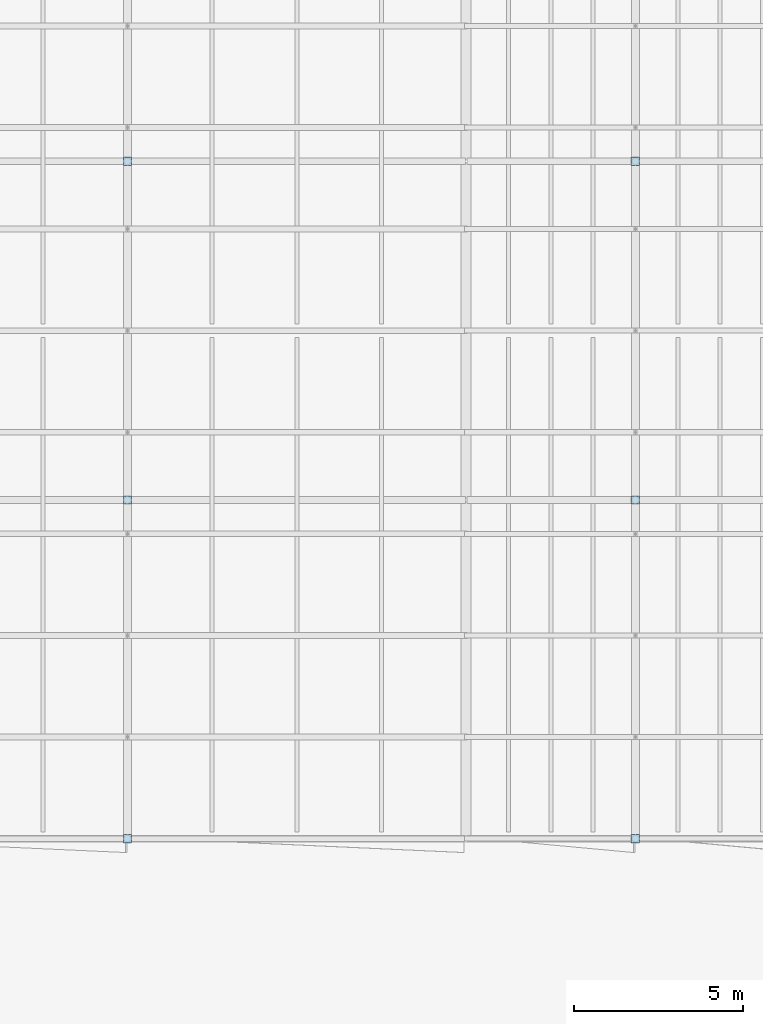
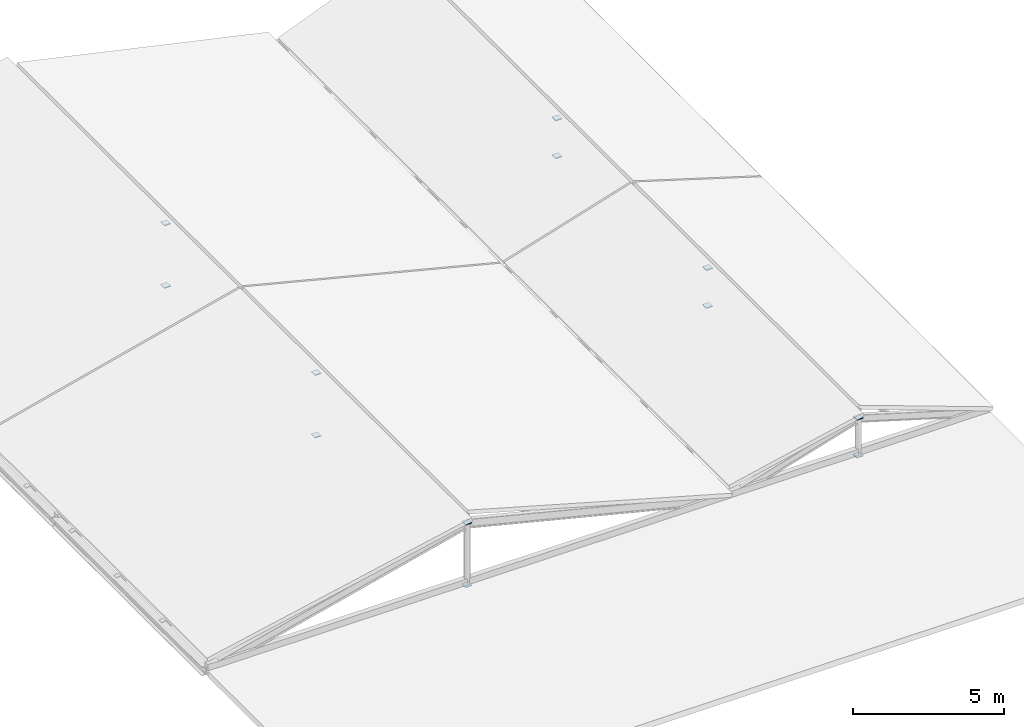
# One storey, part 76 of 90: 12 plates.
"""IFC4 building model written with IfcOpenShell, lengths in metres."""

import ifcopenshell
import ifcopenshell.guid

model = None  # the IFC model being written
_history = None  # IfcOwnerHistory: only IFC2X3 demands one
_inside = {}  # id of a spatial element -> (the spatial element, [elements in it])
_under = {}  # id of a project, library or spatial element -> (it, [spatial elements below it])
_declared = {}  # id of a project -> (the project, [libraries it declares])
_typed = {}  # id of a type object -> (the type object, [elements of that type])
_made_of = {}  # id of a material, layer set ... -> (it, [elements and type objects made of it])


def new_model(schema):
    """Start an empty IFC model of exactly this schema.

    Asked for "IFC4X3", IfcOpenShell would pick the latest addendum, in which some entities
    have other attributes; the version numbers below select the first issue.
    IFC2X3 requires an IfcOwnerHistory on every rooted entity: one is made here for all.
    """
    global model, _history
    if schema == "IFC4X3":
        model = ifcopenshell.file(schema_version=(4, 3, 0, 0))
    else:
        model = ifcopenshell.file(schema=schema)
    _inside.clear()
    _under.clear()
    _declared.clear()
    _typed.clear()
    _made_of.clear()
    _history = None
    if model.schema == "IFC2X3":
        org = make("IfcOrganization", Name="unknown")
        user = make(
            "IfcPersonAndOrganization",
            ThePerson=make("IfcPerson", FamilyName="unknown"),
            TheOrganization=org,
        )
        app = make(
            "IfcApplication",
            ApplicationDeveloper=org,
            Version="unknown",
            ApplicationFullName="unknown",
            ApplicationIdentifier="unknown",
        )
        _history = make(
            "IfcOwnerHistory",
            OwningUser=user,
            OwningApplication=app,
            ChangeAction="ADDED",
            CreationDate=0,
        )
    return model


def make(cls, **values):
    """One entity of the class cls with the attributes given. An attribute that is None is left unset."""
    return model.create_entity(
        cls, **{name: value for name, value in values.items() if value is not None}
    )


def rooted(cls, **values):
    """An entity with a GlobalId (a new one), such as an element, a storey or a relation."""
    return make(cls, GlobalId=ifcopenshell.guid.new(), OwnerHistory=_history, **values)


def si_unit(unit_type, name, prefix=None):
    """IfcSIUnit, for example si_unit("LENGTHUNIT", "METRE", prefix="MILLI")."""
    return make("IfcSIUnit", UnitType=unit_type, Prefix=prefix, Name=name)


def assignment(units):
    """IfcUnitAssignment: the units of a project."""
    return None if units is None else make("IfcUnitAssignment", Units=units)


def point(xyz):
    """IfcCartesianPoint."""
    return None if xyz is None else make("IfcCartesianPoint", Coordinates=xyz)


def direction(xyz):
    """IfcDirection."""
    return None if xyz is None else make("IfcDirection", DirectionRatios=xyz)


def frame(location, z_axis=None, x_axis=None):
    """IfcAxis2Placement3D, a coordinate frame: its origin and axes. An axis left out is left unset."""
    return make(
        "IfcAxis2Placement3D",
        Location=point(location),
        Axis=direction(z_axis),
        RefDirection=direction(x_axis),
    )


def frame_2d(location, x_axis=None):
    """IfcAxis2Placement2D, a coordinate frame in the plane: its origin and x axis."""
    return make(
        "IfcAxis2Placement2D", Location=point(location), RefDirection=direction(x_axis)
    )


def origin():
    """The frame at (0, 0, 0) with its axes left unset."""
    return frame((0.0, 0.0, 0.0))


def origin_2d():
    """The frame at (0, 0) in the plane with its x axis left unset."""
    return frame_2d((0.0, 0.0))


def place(relative_to, where):
    """IfcLocalPlacement: puts the frame where relative to a parent placement (None: the world)."""
    return make(
        "IfcLocalPlacement", PlacementRelTo=relative_to, RelativePlacement=where
    )


def context(
    kind, dimensions, precision=None, world=None, true_north=None, identifier=None
):
    """IfcGeometricRepresentationContext, for example the 3D "Model" context."""
    return make(
        "IfcGeometricRepresentationContext",
        ContextIdentifier=identifier,
        ContextType=kind,
        CoordinateSpaceDimension=dimensions,
        Precision=precision,
        WorldCoordinateSystem=world,
        TrueNorth=true_north,
    )


def subcontext(parent, identifier, kind, view, scale=None):
    """IfcGeometricRepresentationSubContext, for example "Body" below "Model"."""
    return make(
        "IfcGeometricRepresentationSubContext",
        ContextIdentifier=identifier,
        ContextType=kind,
        ParentContext=parent,
        TargetScale=scale,
        TargetView=view,
    )


def project(units=None, contexts=None):
    """IfcProject with its units and contexts."""
    return rooted(
        "IfcProject",
        Name="project",
        RepresentationContexts=contexts,
        UnitsInContext=assignment(units),
    )


def spatial(cls, under=None, at=None, **own):
    """A site, building, storey or space (cls), placed at a placement, below another one or the project."""
    s = rooted(cls, ObjectPlacement=at, **own)
    if under is not None:
        _under.setdefault(under.id(), (under, []))[1].append(s)
    return s


def profile(cls, at=None, kind="AREA", **sizes):
    """A parametric profile (cls). Its sizes go by their IFC names, for example OverallWidth=200.0."""
    return make(cls, ProfileType=kind, Position=at, **sizes)


def rectangle(**sizes):
    """IfcRectangleProfileDef."""
    return profile("IfcRectangleProfileDef", **sizes)


def extrude(swept, where, along, depth):
    """IfcExtrudedAreaSolid: the profile swept, set in the frame where, extruded along a direction by depth."""
    return make(
        "IfcExtrudedAreaSolid",
        SweptArea=swept,
        Position=where,
        ExtrudedDirection=direction(along),
        Depth=depth,
    )


def shape(context_of_items, identifier, shape_type, items):
    """IfcShapeRepresentation: the items that make up one representation, for example the "Body"."""
    return make(
        "IfcShapeRepresentation",
        ContextOfItems=context_of_items,
        RepresentationIdentifier=identifier,
        RepresentationType=shape_type,
        Items=items,
    )


def material(Name=None, Category=None):
    """IfcMaterial."""
    return make("IfcMaterial", Name=Name, Category=Category)


def layer(
    of_material, thickness, ventilated=None, Name=None, Category=None, Priority=None
):
    """IfcMaterialLayer: one layer of a wall or slab, of a material (None: an air gap)."""
    return make(
        "IfcMaterialLayer",
        Material=of_material,
        LayerThickness=thickness,
        IsVentilated=ventilated,
        Name=Name,
        Category=Category,
        Priority=Priority,
    )


def layer_set(layers, Name=None):
    """IfcMaterialLayerSet."""
    return make("IfcMaterialLayerSet", MaterialLayers=layers, LayerSetName=Name)


def made_of(thing, what):
    """Note that an element or type object is made of a material, layer set ...; save() writes the relation."""
    if what is not None:
        _made_of.setdefault(what.id(), (what, []))[1].append(thing)
    return thing


def type_object(cls, material=None, **own):
    """A type object (cls), such as IfcWallType, which elements share."""
    return made_of(rooted(cls, **own), material)


def element(
    cls,
    number,
    at=None,
    inside=None,
    cuts=None,
    type_object=None,
    material=None,
    context=None,
    identifier="Body",
    shape_type=None,
    held_by="IfcProductDefinitionShape",
    body=None,
    shapes=None,
    **own,
):
    """One element of the class cls, such as IfcWall. Its Tag is "e" and its number.

    at: its placement. inside: the storey or other place that contains it. cuts: it is an
    opening in that element (IfcRelVoidsElement). A single representation is given by context,
    identifier, shape_type and body (its items); several are given by shapes. held_by: the class
    of the entity that holds the representations. save() writes the other relations.
    """
    e = rooted(cls, Tag="e%d" % number, ObjectPlacement=at, **own)
    if body is not None:
        shapes = [shape(context, identifier, shape_type, body)]
    if shapes is not None:
        e.Representation = make(held_by, Representations=shapes)
    if inside is not None:
        _inside.setdefault(inside.id(), (inside, []))[1].append(e)
    if cuts is not None:
        rooted(
            "IfcRelVoidsElement", RelatingBuildingElement=cuts, RelatedOpeningElement=e
        )
    if type_object is not None:
        _typed.setdefault(type_object.id(), (type_object, []))[1].append(e)
    return made_of(e, material)


def aggregate(whole, parts):
    """IfcRelAggregates: a whole, such as a stair, and the parts it consists of."""
    return rooted("IfcRelAggregates", RelatingObject=whole, RelatedObjects=parts)


def save(model, path):
    """Write the relations noted so far, then the file.

    IfcRelAggregates (storeys below a building ...), IfcRelContainedInSpatialStructure (elements
    in a storey), IfcRelDefinesByType, IfcRelAssociatesMaterial and IfcRelDeclares: one each for
    every whole, place, type object, material and project.
    """
    for whole, parts in _under.values():
        aggregate(whole, parts)
    for where, things in _inside.values():
        rooted(
            "IfcRelContainedInSpatialStructure",
            RelatedElements=things,
            RelatingStructure=where,
        )
    for kind, things in _typed.values():
        rooted("IfcRelDefinesByType", RelatedObjects=things, RelatingType=kind)
    for what, things in _made_of.values():
        rooted("IfcRelAssociatesMaterial", RelatedObjects=things, RelatingMaterial=what)
    for by, libraries in _declared.values():
        rooted("IfcRelDeclares", RelatingContext=by, RelatedDefinitions=libraries)
    model.write(path)


model = new_model("IFC4")

# Units and contexts
model_context = context("Model", 3, precision=1e-05, world=origin(), true_north=direction((0.0, 1.0)))
body_context = subcontext(model_context, "Body", "Model", "MODEL_VIEW")
ifc_project = project(units=[si_unit("LENGTHUNIT", "METRE"), si_unit("AREAUNIT", "SQUARE_METRE"), si_unit("VOLUMEUNIT", "CUBIC_METRE"), si_unit("PLANEANGLEUNIT", "RADIAN"), si_unit("MASSUNIT", "GRAM", prefix="KILO"), si_unit("THERMODYNAMICTEMPERATUREUNIT", "KELVIN"), si_unit("POWERUNIT", "WATT")], contexts=[model_context])

# Site, building, storey
site_placement = place(None, origin())
site = spatial("IfcSite", under=ifc_project, at=site_placement, CompositionType="ELEMENT")
building_placement = place(site_placement, origin())
building = spatial("IfcBuilding", under=site, at=building_placement, Name="Korenveer Ferry Terminal", CompositionType="ELEMENT")
storey_placement = place(building_placement, frame((0.0, 0.0, 22.199951171875)))
storey = spatial("IfcBuildingStorey", under=building, at=storey_placement, Name="RF", CompositionType="ELEMENT", Elevation=22.199951171875)

# Plates
ifc_material = material(Name="Steel S355", Category="steel")
ifc_layer = layer(ifc_material, 0.031982421875)
ifc_layer_set = layer_set([ifc_layer], Name="Steel S355")
plate_type = type_object("IfcPlateType", Name="STR-PLT-CAP32", PredefinedType="USERDEFINED", material=ifc_layer_set)
for number, where, z_axis, x_axis, name in (
    (1, (10.0, 30.0, 0.14794921875), (0.0, 0.0, 1.0), (1.0, 0.0, 0.0), "Hollow section end cap 490"),
    (2, (10.0, 30.0, 2.68017578125), (0.0, 0.0, 1.0), (1.0, 0.0, 0.0), "Hollow section end cap 491"),
    (3, (10.0, 40.0, 0.14794921875), (0.0, 0.0, 1.0), (1.0, 0.0, 0.0), "Hollow section end cap 492"),
    (4, (10.0, 40.0, 2.68017578125), (0.0, 0.0, 1.0), (1.0, 0.0, 0.0), "Hollow section end cap 493"),
    (5, (10.0, 50.0, 0.14794921875), (0.0, 0.0, 1.0), (1.0, 0.0, 0.0), "Hollow section end cap 494"),
    (6, (10.0, 50.0, 2.68017578125), (0.0, 0.0, 1.0), (1.0, 0.0, 0.0), "Hollow section end cap 495"),
    (7, (25.0, 30.0, 0.14794921875), (0.0, 0.0, 1.0), (1.0, 0.0, 0.0), "Hollow section end cap 498"),
    (8, (25.0, 30.0, 1.68017578125), (0.0, 0.0, 1.0), (1.0, 0.0, 0.0), "Hollow section end cap 499"),
    (9, (25.0, 40.0, 0.14794921875), (0.0, 0.0, 1.0), (1.0, 0.0, 0.0), "Hollow section end cap 500"),
    (10, (25.0, 40.0, 1.68017578125), (0.0, 0.0, 1.0), (1.0, 0.0, 0.0), "Hollow section end cap 501"),
    (11, (25.0, 50.0, 0.14794921875), (0.0, 0.0, 1.0), (1.0, 0.0, 0.0), "Hollow section end cap 502"),
    (12, (25.0, 50.0, 1.68017578125), (0.0, 0.0, 1.0), (1.0, 0.0, 0.0), "Hollow section end cap 503"),
):
    element("IfcPlate", number, at=place(storey_placement, frame(where, z_axis=z_axis, x_axis=x_axis)), inside=storey, type_object=plate_type, Name=name, ObjectType="END CAP PLATE", PredefinedType="USERDEFINED", context=body_context, shape_type="SweptSolid", body=[
        extrude(rectangle(XDim=0.2490234375, YDim=0.2490234375, at=origin_2d()), origin(), (0.0, 0.0, 1.0), 0.031982421875),
    ])

save(model, "model.ifc")
